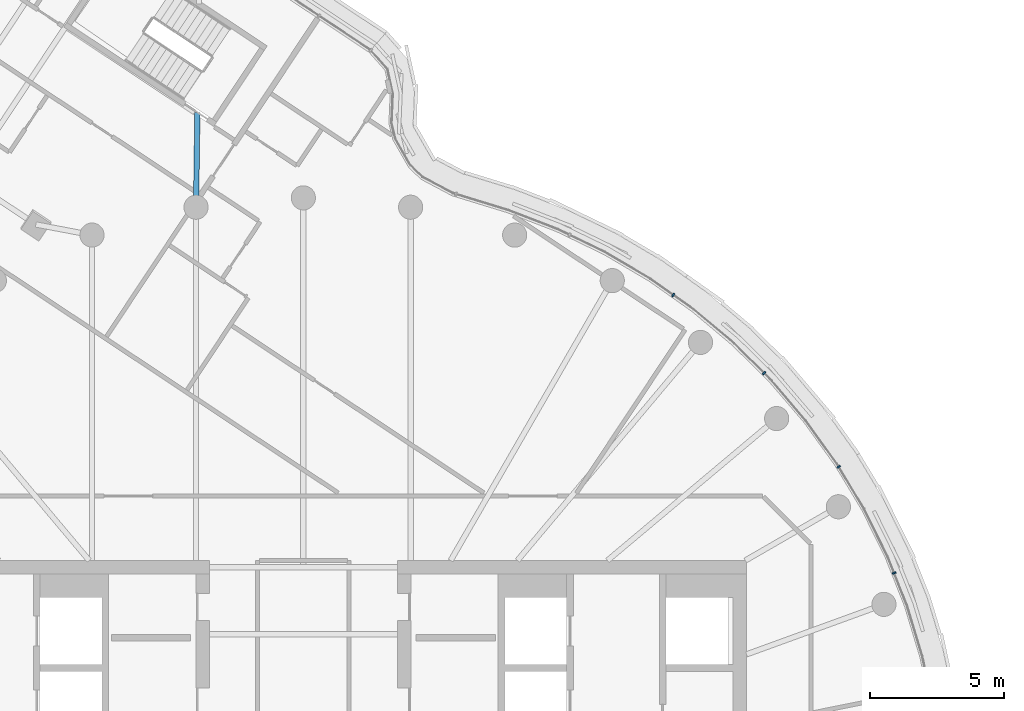
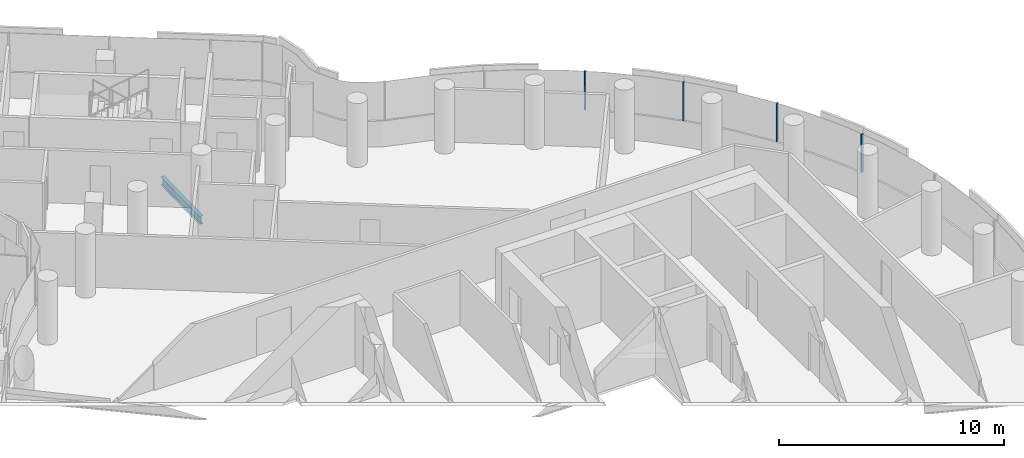
# One storey, part 13 of 27: 4 members, 1 beam, 1 element without a shape of its own.
"""IFC4 building model written with IfcOpenShell, lengths in metres."""

from ifc_helpers import new_model, si_unit, direction, frame, origin, origin_2d, place, context, subcontext, project, spatial, rectangle, i_section, extrude, material, layer, layer_set, material_profile, profile_set, type_object, element, aggregate, save


model = new_model("IFC4")

# Units and contexts
model_context = context("Model", 3, precision=1e-05, world=origin(), true_north=direction((0.0, 1.0)))
body_context = subcontext(model_context, "Body", "Model", "MODEL_VIEW")
ifc_project = project(units=[si_unit("LENGTHUNIT", "METRE"), si_unit("AREAUNIT", "SQUARE_METRE"), si_unit("VOLUMEUNIT", "CUBIC_METRE"), si_unit("PLANEANGLEUNIT", "RADIAN"), si_unit("MASSUNIT", "GRAM", prefix="KILO")], contexts=[model_context])

# Site, building, storey
site_placement = place(None, origin())
site = spatial("IfcSite", under=ifc_project, at=site_placement, CompositionType="ELEMENT")
building_placement = place(site_placement, origin())
building = spatial("IfcBuilding", under=site, at=building_placement, Name="Tamarind Cross Interchange Tower", CompositionType="ELEMENT")
storey_placement = place(building_placement, frame((0.0, 0.0, 237.89990234375)))
storey = spatial("IfcBuildingStorey", under=building, at=storey_placement, Name="L60", CompositionType="ELEMENT", Elevation=237.89990234375)

# Beam
ifc_material_1 = material(Name="Steel Q355B", Category="steel")
ifc_material_profile_1 = material_profile(ifc_material_1, i_section(OverallWidth=0.198974609375, OverallDepth=0.446044921875, WebThickness=0.008056640625, FlangeThickness=0.011962890625, FilletRadius=0.012939453125, at=origin_2d()), Name="HN 446x199x8x12")
ifc_profile_set_1 = profile_set([ifc_material_profile_1], Name="Steel Q355B")
beam_type = type_object("IfcBeamType", Name="Composite beam HN 446x199x8x12 Q355B", PredefinedType="BEAM", material=ifc_profile_set_1)
beam_placement = place(storey_placement, frame((-3.943603515625, 26.1787109375, -0.36279296875), z_axis=(-0.014253620709, -0.999898411988, 0.0), x_axis=(0.999898411988, -0.014253620709, 0.0)))
element("IfcBeam", 1, at=beam_placement, inside=storey, type_object=beam_type, Name="Beam N-linkemt1", PredefinedType="BEAM", context=body_context, shape_type="SweptSolid", body=[
    extrude(i_section(OverallWidth=0.198974609375, OverallDepth=0.446044921875, WebThickness=0.008056640625, FlangeThickness=0.011962890625, FilletRadius=0.012939453125, at=origin_2d()), origin(), (0.0, 0.0, 1.0), 3.5283203125),
])

# Curtain wall, members
ifc_material_2 = material(Name="Aluminium 6063-T6", Category="aluminium")
ifc_layer = layer(ifc_material_2, 0.139892578125)
ifc_layer_set = layer_set([ifc_layer], Name="Aluminium 6063-T6")
curtain_wall_type = type_object("IfcCurtainWallType", Name="Hotel curtain wall, 4.5 m bays", PredefinedType="NOTDEFINED", material=ifc_layer_set)
curtain_wall_placement = place(storey_placement, origin())
curtain_wall = element("IfcCurtainWall", 2, at=curtain_wall_placement, inside=storey, type_object=curtain_wall_type, Name="CWS-L60-02", PredefinedType="NOTDEFINED")
ifc_material_profile_2 = material_profile(ifc_material_2, rectangle(XDim=0.06005859375, YDim=0.139892578125, at=origin_2d()), Name="Mullion CW2")
ifc_profile_set_2 = profile_set([ifc_material_profile_2], Name="Aluminium 6063-T6")
member_type = type_object("IfcMemberType", Name="Mullion CW2", PredefinedType="MULLION", material=ifc_profile_set_2)
member_1_placement = place(storey_placement, frame((21.994140625, 9.03515625, 1.400146484375), z_axis=(0.0, 0.0, 1.0), x_axis=(-0.367513773146, 0.930018078613, 0.0)))
member_1 = element("IfcMember", 3, at=member_1_placement, type_object=member_type, Name="CWM-L60-02-16", PredefinedType="MULLION", context=body_context, shape_type="SweptSolid", body=[
    extrude(rectangle(XDim=0.06005859375, YDim=0.139892578125, at=origin_2d()), origin(), (0.0, 0.0, 1.0), 2.06005859375),
])
member_2_placement = place(storey_placement, frame((19.931884765625, 12.9892578125, 1.400146484375), z_axis=(0.0, 0.0, 1.0), x_axis=(-0.515577308909, 0.856843065292, 0.0)))
member_2 = element("IfcMember", 4, at=member_2_placement, type_object=member_type, Name="CWM-L60-02-17", PredefinedType="MULLION", context=body_context, shape_type="SweptSolid", body=[
    extrude(rectangle(XDim=0.06005859375, YDim=0.139892578125, at=origin_2d()), origin(), (0.0, 0.0, 1.0), 2.06005859375),
])
member_3_placement = place(storey_placement, frame((17.1513671875, 16.4755859375, 1.400146484375), z_axis=(0.0, 0.0, 1.0), x_axis=(-0.710143317658, 0.704057148523, 0.0)))
member_3 = element("IfcMember", 5, at=member_3_placement, type_object=member_type, Name="CWM-L60-02-18", PredefinedType="MULLION", context=body_context, shape_type="SweptSolid", body=[
    extrude(rectangle(XDim=0.06005859375, YDim=0.139892578125, at=origin_2d()), origin(), (0.0, 0.0, 1.0), 2.06005859375),
])
member_4_placement = place(storey_placement, frame((13.77001953125, 19.382080078125, 1.400146484375), z_axis=(0.0, 0.0, 1.0), x_axis=(-0.816341886298, 0.577568978284, 0.0)))
member_4 = element("IfcMember", 6, at=member_4_placement, type_object=member_type, Name="CWM-L60-02-19", PredefinedType="MULLION", context=body_context, shape_type="SweptSolid", body=[
    extrude(rectangle(XDim=0.06005859375, YDim=0.139892578125, at=origin_2d()), origin(), (0.0, 0.0, 1.0), 2.06005859375),
])
aggregate(curtain_wall, [member_1, member_2, member_3, member_4])

save(model, "model.ifc")
